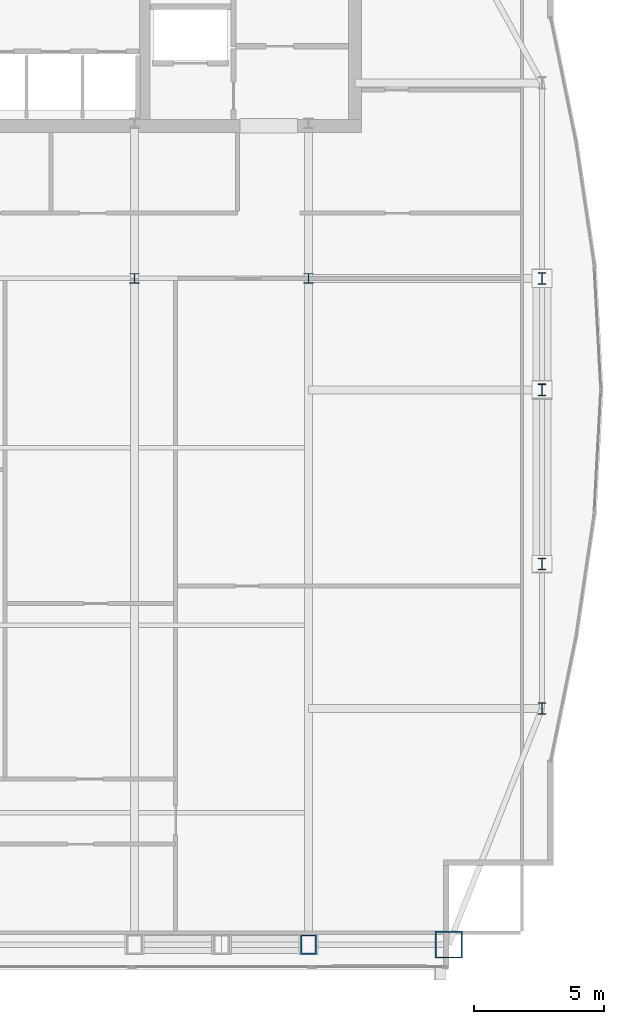
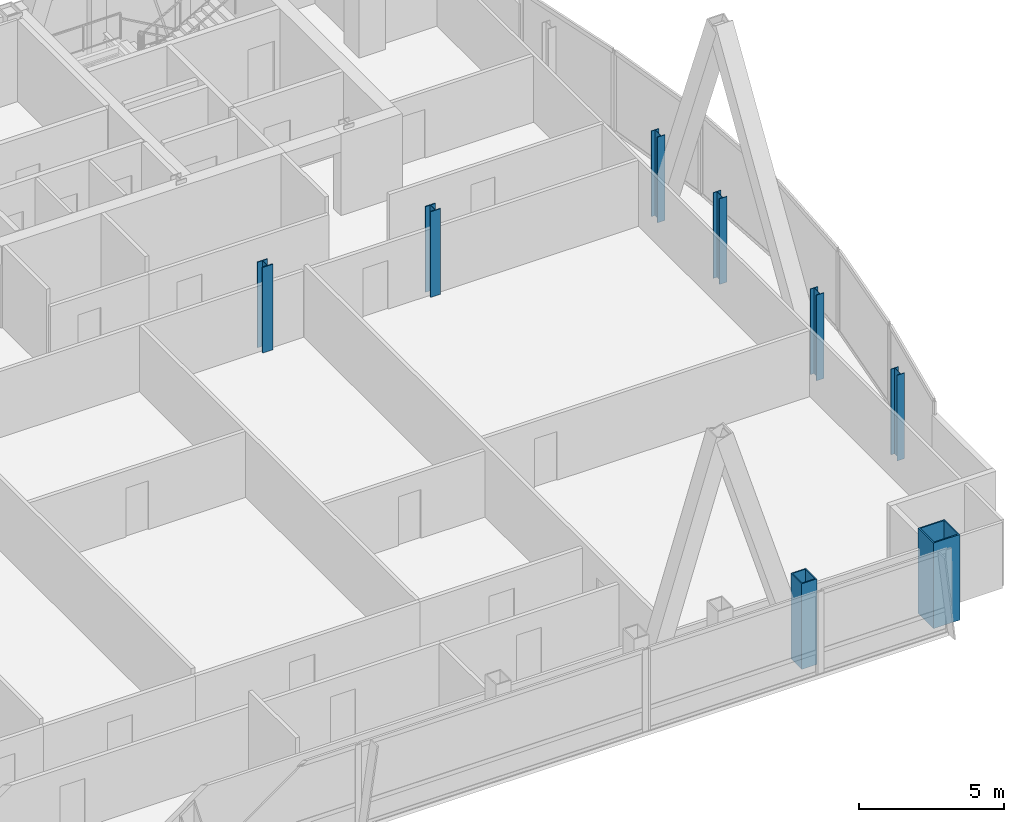
# One storey, part 2 of 31: 8 columns.
"""IFC4 building model written with IfcOpenShell, lengths in metres."""

from ifc_helpers import new_model, si_unit, direction, frame, origin, origin_2d, place, context, subcontext, project, spatial, hollow_rectangle, i_section, extrude, material, material_profile, profile_set, type_object, element, save


model = new_model("IFC4")

# Units and contexts
model_context = context("Model", 3, precision=1e-05, world=origin(), true_north=direction((0.0, 1.0)))
body_context = subcontext(model_context, "Body", "Model", "MODEL_VIEW")
ifc_project = project(units=[si_unit("LENGTHUNIT", "METRE"), si_unit("AREAUNIT", "SQUARE_METRE"), si_unit("VOLUMEUNIT", "CUBIC_METRE"), si_unit("PLANEANGLEUNIT", "RADIAN"), si_unit("MASSUNIT", "GRAM", prefix="KILO")], contexts=[model_context])

# Site, building, storey
site_placement = place(None, origin())
site = spatial("IfcSite", under=ifc_project, at=site_placement, CompositionType="ELEMENT")
building_placement = place(site_placement, origin())
building = spatial("IfcBuilding", under=site, at=building_placement, Name="Khoronbel Lancet Exchange", CompositionType="ELEMENT")
storey_placement = place(building_placement, frame((0.0, 0.0, 273.39990234375)))
storey = spatial("IfcBuildingStorey", under=building, at=storey_placement, Name="L70", CompositionType="ELEMENT", Elevation=273.39990234375)

# Columns
ifc_material_1 = material(Name="Steel S460", Category="steel")
ifc_material_profile_1 = material_profile(ifc_material_1, hollow_rectangle(XDim=0.60009765625, YDim=0.75, WallThickness=0.044921875, at=origin_2d()), Name="BOX 750x600x45")
ifc_profile_set_1 = profile_set([ifc_material_profile_1], Name="Steel S460")
column_type_1 = type_object("IfcColumnType", Name="COL-EC3", PredefinedType="COLUMN", material=ifc_profile_set_1)
column_1_placement = place(storey_placement, frame((54.675048828125, 10.14990234375, 0.0), z_axis=(0.0, 0.0, 1.0), x_axis=(1.0, 0.0, 0.0)))
element("IfcColumn", 1, at=column_1_placement, inside=storey, type_object=column_type_1, Name="Structural column SC-E2 L70", PredefinedType="COLUMN", context=body_context, shape_type="SweptSolid", body=[
    extrude(hollow_rectangle(XDim=0.60009765625, YDim=0.75, WallThickness=0.044921875, at=origin_2d()), origin(), (0.0, 0.0, 1.0), 3.60009765625),
])
ifc_material_2 = material(Name="Steel S355", Category="steel")
ifc_material_profile_2 = material_profile(ifc_material_2, i_section(OverallWidth=0.39892578125, OverallDepth=0.39306640625, WebThickness=0.022705078125, FlangeThickness=0.03662109375, at=origin_2d()), Name="HD 400x287")
ifc_profile_set_2 = profile_set([ifc_material_profile_2], Name="Steel S355")
column_type_2 = type_object("IfcColumnType", Name="COL-IC4", PredefinedType="COLUMN", material=ifc_profile_set_2)
for number, where, z_axis, x_axis, name in (
    (2, (48.0, 35.699951171875, 0.0), (0.0, 0.0, 1.0), (1.0, 0.0, 0.0), "Spine gravity column TC3 L70"),
    (3, (54.675048828125, 35.699951171875, 0.0), (0.0, 0.0, 1.0), (1.0, 0.0, 0.0), "Spine gravity column TC4 L70"),
):
    element("IfcColumn", number, at=place(storey_placement, frame(where, z_axis=z_axis, x_axis=x_axis)), inside=storey, type_object=column_type_2, Name=name, PredefinedType="COLUMN", context=body_context, shape_type="SweptSolid", body=[
        extrude(i_section(OverallWidth=0.39892578125, OverallDepth=0.39306640625, WebThickness=0.022705078125, FlangeThickness=0.03662109375, at=origin_2d()), origin(), (0.0, 0.0, 1.0), 3.60009765625),
    ])
ifc_material_profile_3 = material_profile(ifc_material_2, i_section(OverallWidth=0.300048828125, OverallDepth=0.449951171875, WebThickness=0.013916015625, FlangeThickness=0.02587890625, at=origin_2d()), Name="HEB 450")
ifc_profile_set_3 = profile_set([ifc_material_profile_3], Name="Steel S355")
column_type_3 = type_object("IfcColumnType", Name="COL-LC2", PredefinedType="COLUMN", material=ifc_profile_set_3)
for number, where, z_axis, x_axis, name in (
    (4, (63.6298828125, 19.199951171875, 0.0), (0.0, 0.0, 1.0), (1.0, 0.0, 0.0), "Structural column EC-1 L70"),
    (5, (63.6298828125, 24.75, 0.0), (0.0, 0.0, 1.0), (1.0, 0.0, 0.0), "Structural column EC-2 L70"),
    (6, (63.6298828125, 31.425048828125, 0.0), (0.0, 0.0, 1.0), (1.0, 0.0, 0.0), "Structural column EC-M L70"),
    (7, (63.6298828125, 35.699951171875, 0.0), (0.0, 0.0, 1.0), (1.0, 0.0, 0.0), "Structural column EC-3 L70"),
):
    element("IfcColumn", number, at=place(storey_placement, frame(where, z_axis=z_axis, x_axis=x_axis)), inside=storey, type_object=column_type_3, Name=name, PredefinedType="COLUMN", context=body_context, shape_type="SweptSolid", body=[
        extrude(i_section(OverallWidth=0.300048828125, OverallDepth=0.449951171875, WebThickness=0.013916015625, FlangeThickness=0.02587890625, at=origin_2d()), origin(), (0.0, 0.0, 1.0), 3.60009765625),
    ])
ifc_material_profile_4 = material_profile(ifc_material_1, hollow_rectangle(XDim=1.050048828125, YDim=1.050048828125, WallThickness=0.054931640625, at=origin_2d()), Name="BOX 1050x1050x55")
ifc_profile_set_4 = profile_set([ifc_material_profile_4], Name="Steel S460")
column_type_4 = type_object("IfcColumnType", Name="COL-MC6", PredefinedType="COLUMN", material=ifc_profile_set_4)
column_2_placement = place(storey_placement, frame((60.050048828125, 10.14990234375, 0.0), z_axis=(0.0, 0.0, 1.0), x_axis=(1.0, 0.0, 0.0)))
element("IfcColumn", 8, at=column_2_placement, inside=storey, type_object=column_type_4, Name="Structural column MC-SE L70", PredefinedType="COLUMN", context=body_context, shape_type="SweptSolid", body=[
    extrude(hollow_rectangle(XDim=1.050048828125, YDim=1.050048828125, WallThickness=0.054931640625, at=origin_2d()), origin(), (0.0, 0.0, 1.0), 3.60009765625),
])

save(model, "model.ifc")
